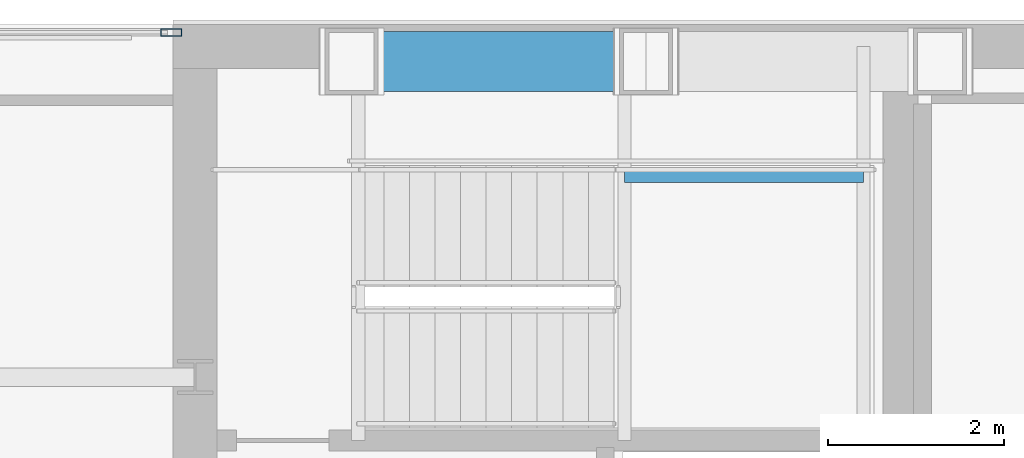
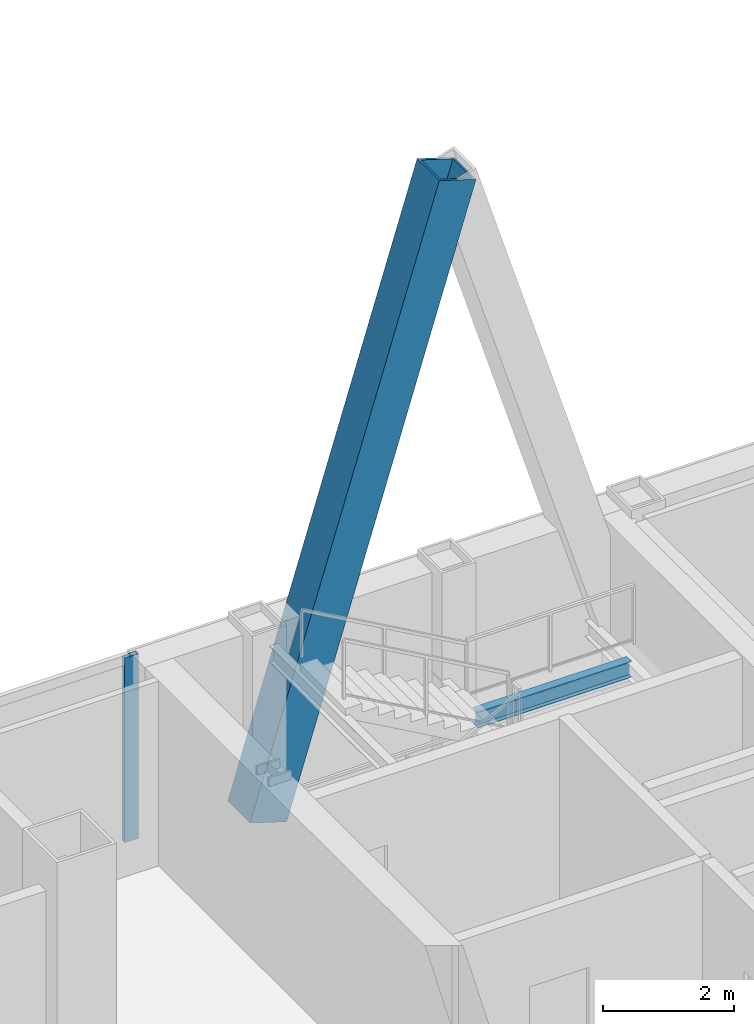
# One storey, part 22 of 31: 2 members, 1 beam, 1 element without a shape of its own.
"""IFC4 building model written with IfcOpenShell, lengths in metres."""

from ifc_helpers import new_model, si_unit, direction, frame, origin, origin_2d, place, context, subcontext, project, spatial, hollow_rectangle, i_section, extrude, material, material_profile, profile_set, type_object, element, aggregate, save


model = new_model("IFC4")

# Units and contexts
model_context = context("Model", 3, precision=1e-05, world=origin(), true_north=direction((0.0, 1.0)))
body_context = subcontext(model_context, "Body", "Model", "MODEL_VIEW")
ifc_project = project(units=[si_unit("LENGTHUNIT", "METRE"), si_unit("AREAUNIT", "SQUARE_METRE"), si_unit("VOLUMEUNIT", "CUBIC_METRE"), si_unit("PLANEANGLEUNIT", "RADIAN"), si_unit("MASSUNIT", "GRAM", prefix="KILO")], contexts=[model_context])

# Site, building, storey
site_placement = place(None, origin())
site = spatial("IfcSite", under=ifc_project, at=site_placement, CompositionType="ELEMENT")
building_placement = place(site_placement, origin())
building = spatial("IfcBuilding", under=site, at=building_placement, Name="Khoronbel Lancet Exchange", CompositionType="ELEMENT")
storey_placement = place(building_placement, frame((0.0, 0.0, 273.39990234375)))
storey = spatial("IfcBuildingStorey", under=building, at=storey_placement, Name="L70", CompositionType="ELEMENT", Elevation=273.39990234375)

# Beam
ifc_material_1 = material(Name="Steel S355", Category="steel")
ifc_material_profile_1 = material_profile(ifc_material_1, i_section(OverallWidth=0.14990234375, OverallDepth=0.300048828125, WebThickness=0.007080078125, FlangeThickness=0.0107421875, at=origin_2d()), Name="IPE 300")
ifc_profile_set_1 = profile_set([ifc_material_profile_1], Name="Steel S355")
beam_type = type_object("IfcBeamType", Name="BM-BJ8", PredefinedType="JOIST", material=ifc_profile_set_1)
beam_placement = place(storey_placement, frame((21.320068359375, 51.97998046875, 1.4501953125), z_axis=(1.0, 0.0, 0.0), x_axis=(0.0, 1.0, 0.0)))
element("IfcBeam", 1, at=beam_placement, inside=storey, type_object=beam_type, Name="Level L70 stair ST1 landing cross trimmer beam 1", PredefinedType="JOIST", context=body_context, shape_type="SweptSolid", body=[
    extrude(i_section(OverallWidth=0.14990234375, OverallDepth=0.300048828125, WebThickness=0.007080078125, FlangeThickness=0.0107421875, at=origin_2d()), origin(), (0.0, 0.0, 1.0), 2.7099609375),
])

# Curtain wall, member
ifc_material_2 = material(Name="Low-E Solar Control Insulating Glass", Category="glass")
curtain_wall_type = type_object("IfcCurtainWallType", Name="CW-3", PredefinedType="NOTDEFINED", material=ifc_material_2)
curtain_wall_placement = place(storey_placement, origin())
curtain_wall = element("IfcCurtainWall", 2, at=curtain_wall_placement, inside=storey, type_object=curtain_wall_type, Name="Unitised curtain wall CW-L70-NWFLK", PredefinedType="NOTDEFINED")
ifc_material_3 = material(Name="Bronze-Anodised Aluminium 6063-T6", Category="aluminium")
ifc_material_profile_2 = material_profile(ifc_material_3, hollow_rectangle(XDim=0.0849609375, YDim=0.239990234375, WallThickness=0.006103515625, at=origin_2d()), Name="ALU MULLION 85x240")
ifc_profile_set_2 = profile_set([ifc_material_profile_2], Name="Bronze-Anodised Aluminium 6063-T6")
member_type_1 = type_object("IfcMemberType", Name="MEM-CWM1", PredefinedType="MULLION", material=ifc_profile_set_2)
member_1_placement = place(storey_placement, frame((16.177490234375, 53.610107421875, 0.0), z_axis=(0.0, 0.0, 1.0), x_axis=(0.0, -1.0, 0.0)))
member_1 = element("IfcMember", 3, at=member_1_placement, type_object=member_type_1, Name="CW3 mullion 1", PredefinedType="MULLION", context=body_context, shape_type="SweptSolid", body=[
    extrude(hollow_rectangle(XDim=0.0849609375, YDim=0.239990234375, WallThickness=0.006103515625, at=origin_2d()), origin(), (0.0, 0.0, 1.0), 3.440185546875),
])
aggregate(curtain_wall, [member_1])

# Member
ifc_material_4 = material(Name="Steel S460", Category="steel")
ifc_material_profile_3 = material_profile(ifc_material_4, hollow_rectangle(XDim=0.679931640625, YDim=0.679931640625, WallThickness=0.044921875, at=origin_2d()), Name="BOX 680x680x45")
ifc_profile_set_3 = profile_set([ifc_material_profile_3], Name="Steel S460")
member_type_2 = type_object("IfcMemberType", Name="MEM-MB3", PredefinedType="BRACE", material=ifc_profile_set_3)
member_2_placement = place(storey_placement, frame((18.22509765625, 53.280029296875, 0.0), z_axis=(0.295242108906, 0.0, 0.955422470496), x_axis=(0.0, 1.0, 0.0)))
element("IfcMember", 4, at=member_2_placement, inside=storey, type_object=member_type_2, Name="Perimeter lancet brace tier 24 N-W-L", PredefinedType="BRACE", context=body_context, shape_type="SweptSolid", body=[
    extrude(hollow_rectangle(XDim=0.679931640625, YDim=0.679931640625, WallThickness=0.044921875, at=origin_2d()), origin(), (0.0, 0.0, 1.0), 11.303955078125),
])

save(model, "model.ifc")
